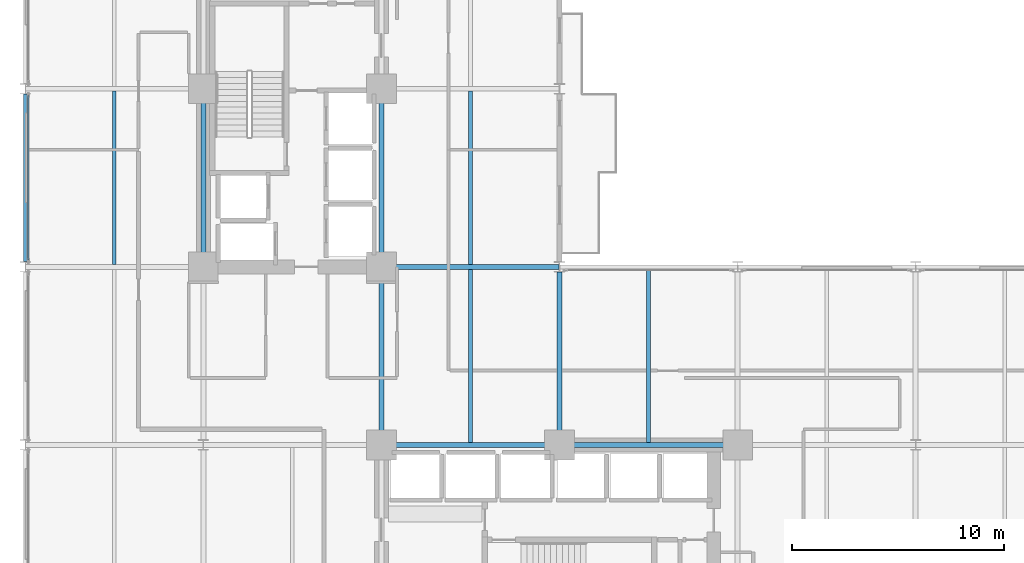
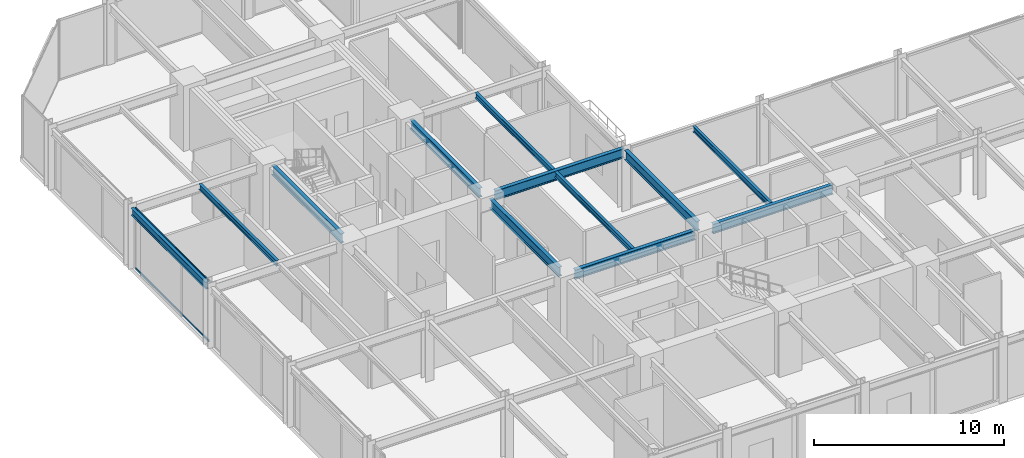
# One storey, part 7 of 24: 12 beams, 2 members, 1 element without a shape of its own.
"""IFC4 building model written with IfcOpenShell, lengths in metres."""

from ifc_helpers import new_model, si_unit, direction, frame, origin, origin_2d, place, context, subcontext, project, spatial, hollow_rectangle, i_section, extrude, material, layer, layer_set, material_profile, profile_set, type_object, element, aggregate, save


model = new_model("IFC4")

# Units and contexts
model_context = context("Model", 3, precision=1e-05, world=origin(), true_north=direction((0.0, 1.0)))
body_context = subcontext(model_context, "Body", "Model", "MODEL_VIEW")
ifc_project = project(units=[si_unit("LENGTHUNIT", "METRE"), si_unit("AREAUNIT", "SQUARE_METRE"), si_unit("VOLUMEUNIT", "CUBIC_METRE"), si_unit("PLANEANGLEUNIT", "RADIAN"), si_unit("MASSUNIT", "GRAM", prefix="KILO")], contexts=[model_context])

# Site, building, storey
site_placement = place(None, origin())
site = spatial("IfcSite", under=ifc_project, at=site_placement, CompositionType="ELEMENT")
building_placement = place(site_placement, origin())
building = spatial("IfcBuilding", under=site, at=building_placement, Name="Nerrivon Quay Data Exchange", CompositionType="ELEMENT")
storey_placement = place(building_placement, frame((0.0, 0.0, 50.0)))
storey = spatial("IfcBuildingStorey", under=building, at=storey_placement, Name="L11", CompositionType="ELEMENT", Elevation=50.0)

# Beams
ifc_material_1 = material(Name="Steel Grade 350", Category="steel")
ifc_material_profile_1 = material_profile(ifc_material_1, i_section(OverallWidth=0.22900390625, OverallDepth=0.612060546875, WebThickness=0.011962890625, FlangeThickness=0.01953125, FilletRadius=0.013916015625, at=origin_2d()), Name="610UB125")
ifc_profile_set_1 = profile_set([ifc_material_profile_1], Name="Steel Grade 350")
beam_type_1 = type_object("IfcBeamType", Name="BM-G1-610UB125", PredefinedType="BEAM", material=ifc_profile_set_1)
beam_1_placement = place(storey_placement, frame((17.340087890625, 16.800048828125, 3.618896484375), z_axis=(1.0, 0.0, 0.0), x_axis=(0.0, 1.0, 0.0)))
element("IfcBeam", 1, at=beam_1_placement, inside=storey, type_object=beam_type_1, Name="L11 EW Girder Y=16.8 (16.8..25.2)", PredefinedType="BEAM", context=body_context, shape_type="SweptSolid", body=[
    extrude(i_section(OverallWidth=0.22900390625, OverallDepth=0.612060546875, WebThickness=0.011962890625, FlangeThickness=0.01953125, FilletRadius=0.013916015625, at=origin_2d()), origin(), (0.0, 0.0, 1.0), 7.31982421875),
])
beam_2_placement = place(storey_placement, frame((25.739990234375, 16.800048828125, 3.618896484375), z_axis=(1.0, 0.0, 0.0), x_axis=(0.0, 1.0, 0.0)))
element("IfcBeam", 2, at=beam_2_placement, inside=storey, type_object=beam_type_1, Name="L11 EW Girder Y=16.8 (25.2..33.6)", PredefinedType="BEAM", context=body_context, shape_type="SweptSolid", body=[
    extrude(i_section(OverallWidth=0.22900390625, OverallDepth=0.612060546875, WebThickness=0.011962890625, FlangeThickness=0.01953125, FilletRadius=0.013916015625, at=origin_2d()), origin(), (0.0, 0.0, 1.0), 7.320068359375),
])
beam_3_placement = place(storey_placement, frame((17.340087890625, 25.199951171875, 3.618896484375), z_axis=(1.0, 0.0, 0.0), x_axis=(0.0, 1.0, 0.0)))
element("IfcBeam", 3, at=beam_3_placement, inside=storey, type_object=beam_type_1, Name="L11 EW Girder Y=25.2 (16.8..25.2)", PredefinedType="BEAM", context=body_context, shape_type="SweptSolid", body=[
    extrude(i_section(OverallWidth=0.22900390625, OverallDepth=0.612060546875, WebThickness=0.011962890625, FlangeThickness=0.01953125, FilletRadius=0.013916015625, at=origin_2d()), origin(), (0.0, 0.0, 1.0), 7.845947265625),
])
ifc_material_profile_2 = material_profile(ifc_material_1, i_section(OverallWidth=0.22802734375, OverallDepth=0.60205078125, WebThickness=0.010498046875, FlangeThickness=0.014892578125, FilletRadius=0.013916015625, at=origin_2d()), Name="610UB101")
ifc_profile_set_2 = profile_set([ifc_material_profile_2], Name="Steel Grade 350")
beam_type_2 = type_object("IfcBeamType", Name="BM-G2-610UB101", PredefinedType="BEAM", material=ifc_profile_set_2)
beam_4_placement = place(storey_placement, frame((8.39990234375, 25.739990234375, 3.6240234375), z_axis=(0.0, 1.0, 0.0), x_axis=(-1.0, 0.0, 0.0)))
element("IfcBeam", 4, at=beam_4_placement, inside=storey, type_object=beam_type_2, Name="L11 NS Girder X=8.4 (25.2..33.6)", PredefinedType="BEAM", context=body_context, shape_type="SweptSolid", body=[
    extrude(i_section(OverallWidth=0.22802734375, OverallDepth=0.60205078125, WebThickness=0.010498046875, FlangeThickness=0.014892578125, FilletRadius=0.013916015625, at=origin_2d()), origin(), (0.0, 0.0, 1.0), 7.320068359375),
])
beam_5_placement = place(storey_placement, frame((16.800048828125, 17.340087890625, 3.6240234375), z_axis=(0.0, 1.0, 0.0), x_axis=(-1.0, 0.0, 0.0)))
element("IfcBeam", 5, at=beam_5_placement, inside=storey, type_object=beam_type_2, Name="L11 NS Girder X=16.8 (16.8..25.2)", PredefinedType="BEAM", context=body_context, shape_type="SweptSolid", body=[
    extrude(i_section(OverallWidth=0.22802734375, OverallDepth=0.60205078125, WebThickness=0.010498046875, FlangeThickness=0.014892578125, FilletRadius=0.013916015625, at=origin_2d()), origin(), (0.0, 0.0, 1.0), 7.31982421875),
])
beam_6_placement = place(storey_placement, frame((16.800048828125, 25.739990234375, 3.6240234375), z_axis=(0.0, 1.0, 0.0), x_axis=(-1.0, 0.0, 0.0)))
element("IfcBeam", 6, at=beam_6_placement, inside=storey, type_object=beam_type_2, Name="L11 NS Girder X=16.8 (25.2..33.6)", PredefinedType="BEAM", context=body_context, shape_type="SweptSolid", body=[
    extrude(i_section(OverallWidth=0.22802734375, OverallDepth=0.60205078125, WebThickness=0.010498046875, FlangeThickness=0.014892578125, FilletRadius=0.013916015625, at=origin_2d()), origin(), (0.0, 0.0, 1.0), 7.320068359375),
])
beam_7_placement = place(storey_placement, frame((25.199951171875, 17.340087890625, 3.6240234375), z_axis=(0.0, 1.0, 0.0), x_axis=(-1.0, 0.0, 0.0)))
element("IfcBeam", 7, at=beam_7_placement, inside=storey, type_object=beam_type_2, Name="L11 NS Girder X=25.2 (16.8..25.2)", PredefinedType="BEAM", context=body_context, shape_type="SweptSolid", body=[
    extrude(i_section(OverallWidth=0.22802734375, OverallDepth=0.60205078125, WebThickness=0.010498046875, FlangeThickness=0.014892578125, FilletRadius=0.013916015625, at=origin_2d()), origin(), (0.0, 0.0, 1.0), 7.60986328125),
])
ifc_material_profile_3 = material_profile(ifc_material_1, i_section(OverallWidth=0.172119140625, OverallDepth=0.35888671875, WebThickness=0.008056640625, FlangeThickness=0.012939453125, FilletRadius=0.011474609375, at=origin_2d()), Name="360UB56.7")
ifc_profile_set_3 = profile_set([ifc_material_profile_3], Name="Steel Grade 350")
beam_type_3 = type_object("IfcBeamType", Name="BM-J3-360UB57", PredefinedType="JOIST", material=ifc_profile_set_3)
beam_8_placement = place(storey_placement, frame((4.199951171875, 25.314453125, 3.74560546875), z_axis=(0.0, 1.0, 0.0), x_axis=(-1.0, 0.0, 0.0)))
element("IfcBeam", 8, at=beam_8_placement, inside=storey, type_object=beam_type_3, Name="L11 Secondary Joist X=4.2 (25.2..33.6)", PredefinedType="JOIST", context=body_context, shape_type="SweptSolid", body=[
    extrude(i_section(OverallWidth=0.172119140625, OverallDepth=0.35888671875, WebThickness=0.008056640625, FlangeThickness=0.012939453125, FilletRadius=0.011474609375, at=origin_2d()), origin(), (0.0, 0.0, 1.0), 8.171142578125),
])
beam_9_placement = place(storey_placement, frame((21.0, 16.91455078125, 3.74560546875), z_axis=(0.0, 1.0, 0.0), x_axis=(-1.0, 0.0, 0.0)))
element("IfcBeam", 9, at=beam_9_placement, inside=storey, type_object=beam_type_3, Name="L11 Secondary Joist X=21.0 (16.8..25.2)", PredefinedType="JOIST", context=body_context, shape_type="SweptSolid", body=[
    extrude(i_section(OverallWidth=0.172119140625, OverallDepth=0.35888671875, WebThickness=0.008056640625, FlangeThickness=0.012939453125, FilletRadius=0.011474609375, at=origin_2d()), origin(), (0.0, 0.0, 1.0), 8.1708984375),
])
beam_10_placement = place(storey_placement, frame((21.0, 25.314453125, 3.74560546875), z_axis=(0.0, 1.0, 0.0), x_axis=(-1.0, 0.0, 0.0)))
element("IfcBeam", 10, at=beam_10_placement, inside=storey, type_object=beam_type_3, Name="L11 Secondary Joist X=21.0 (25.2..33.6)", PredefinedType="JOIST", context=body_context, shape_type="SweptSolid", body=[
    extrude(i_section(OverallWidth=0.172119140625, OverallDepth=0.35888671875, WebThickness=0.008056640625, FlangeThickness=0.012939453125, FilletRadius=0.011474609375, at=origin_2d()), origin(), (0.0, 0.0, 1.0), 8.171142578125),
])
beam_11_placement = place(storey_placement, frame((29.39990234375, 16.91455078125, 3.74560546875), z_axis=(0.0, 1.0, 0.0), x_axis=(-1.0, 0.0, 0.0)))
element("IfcBeam", 11, at=beam_11_placement, inside=storey, type_object=beam_type_3, Name="L11 Secondary Joist X=29.4 (16.8..25.2)", PredefinedType="JOIST", context=body_context, shape_type="SweptSolid", body=[
    extrude(i_section(OverallWidth=0.172119140625, OverallDepth=0.35888671875, WebThickness=0.008056640625, FlangeThickness=0.012939453125, FilletRadius=0.011474609375, at=origin_2d()), origin(), (0.0, 0.0, 1.0), 8.1904296875),
])
ifc_material_profile_4 = material_profile(ifc_material_1, i_section(OverallWidth=0.18994140625, OverallDepth=0.4541015625, WebThickness=0.008544921875, FlangeThickness=0.0126953125, FilletRadius=0.011474609375, at=origin_2d()), Name="460UB67.1")
ifc_profile_set_4 = profile_set([ifc_material_profile_4], Name="Steel Grade 350")
beam_type_4 = type_object("IfcBeamType", Name="BM-SP1-460UB67", PredefinedType="SPANDREL", material=ifc_profile_set_4)
beam_12_placement = place(storey_placement, frame((0.0, 25.449951171875, 3.697998046875), z_axis=(0.0, 1.0, 0.0), x_axis=(-1.0, 0.0, 0.0)))
element("IfcBeam", 12, at=beam_12_placement, inside=storey, type_object=beam_type_4, Name="L11 NS Girder X=0.0 (25.2..33.6)", PredefinedType="SPANDREL", context=body_context, shape_type="SweptSolid", body=[
    extrude(i_section(OverallWidth=0.18994140625, OverallDepth=0.4541015625, WebThickness=0.008544921875, FlangeThickness=0.0126953125, FilletRadius=0.011474609375, at=origin_2d()), origin(), (0.0, 0.0, 1.0), 7.900146484375),
])

# Curtain wall, members
ifc_material_2 = material(Name="Anodised aluminium 6063-T6", Category="aluminium")
ifc_layer = layer(ifc_material_2, 0.219970703125)
ifc_layer_set = layer_set([ifc_layer], Name="Anodised aluminium 6063-T6")
curtain_wall_type = type_object("IfcCurtainWallType", Name="CW-SYS-01", PredefinedType="NOTDEFINED", material=ifc_layer_set)
curtain_wall_placement = place(storey_placement, origin())
curtain_wall = element("IfcCurtainWall", 13, at=curtain_wall_placement, inside=storey, type_object=curtain_wall_type, Name="L11 Unitised Curtain Wall 16", PredefinedType="NOTDEFINED")
ifc_material_profile_5 = material_profile(ifc_material_2, hollow_rectangle(XDim=0.06005859375, YDim=0.1201171875, WallThickness=0.003173828125, at=origin_2d()), Name="ALU-TRAN-120x60")
ifc_profile_set_5 = profile_set([ifc_material_profile_5], Name="Anodised aluminium 6063-T6")
member_type = type_object("IfcMemberType", Name="CWT-120x60", PredefinedType="USERDEFINED", material=ifc_profile_set_5)
member_1_placement = place(storey_placement, frame((0.139892578125, 25.52490234375, 0.032470703125), z_axis=(0.0, 1.0, 0.0), x_axis=(-1.0, 0.0, 0.0)))
member_1 = element("IfcMember", 14, at=member_1_placement, type_object=member_type, Name="CW01 transom 1.1", ObjectType="TRANSOM", PredefinedType="USERDEFINED", context=body_context, shape_type="SweptSolid", body=[
    extrude(hollow_rectangle(XDim=0.06005859375, YDim=0.1201171875, WallThickness=0.003173828125, at=origin_2d()), origin(), (0.0, 0.0, 1.0), 7.75),
])
member_2_placement = place(storey_placement, frame((0.139892578125, 25.52490234375, 3.892578125), z_axis=(0.0, 1.0, 0.0), x_axis=(-1.0, 0.0, 0.0)))
member_2 = element("IfcMember", 15, at=member_2_placement, type_object=member_type, Name="CW01 transom 1.2", ObjectType="TRANSOM", PredefinedType="USERDEFINED", context=body_context, shape_type="SweptSolid", body=[
    extrude(hollow_rectangle(XDim=0.06005859375, YDim=0.1201171875, WallThickness=0.003173828125, at=origin_2d()), origin(), (0.0, 0.0, 1.0), 7.75),
])
aggregate(curtain_wall, [member_1, member_2])

save(model, "model.ifc")
